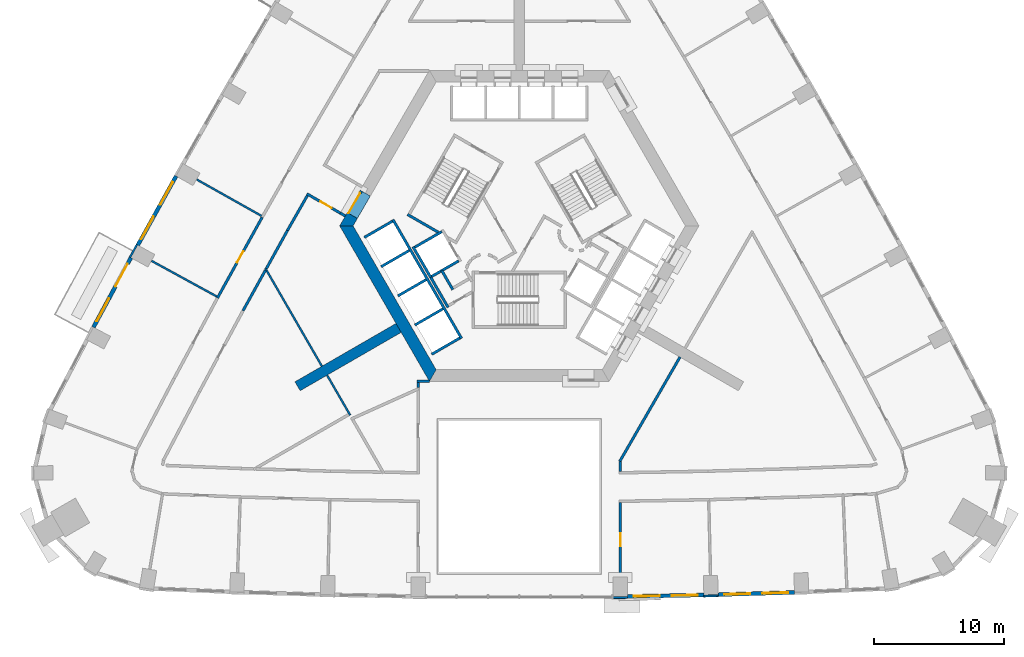
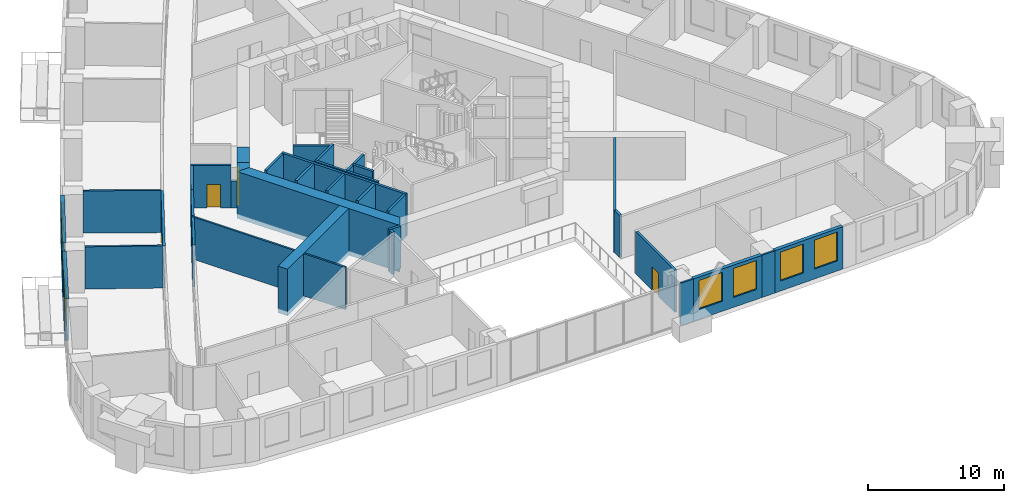
# One storey, part 5 of 16: 39 walls, 7 windows, 5 doors, 12 openings.
"""IFC4 building model written with IfcOpenShell, lengths in metres."""

from ifc_helpers import new_model, si_unit, direction, frame, frame_2d, origin, place, context, subcontext, project, spatial, polyline, rectangle, outline, extrude, material, layer, layer_set, type_object, element, fill, save


model = new_model("IFC4")

# Units and contexts
model_context = context("Model", 3, precision=1e-05, world=origin(), true_north=direction((0.0, 1.0)))
body_context = subcontext(model_context, "Body", "Model", "MODEL_VIEW")
ifc_project = project(units=[si_unit("LENGTHUNIT", "METRE"), si_unit("AREAUNIT", "SQUARE_METRE"), si_unit("VOLUMEUNIT", "CUBIC_METRE"), si_unit("PLANEANGLEUNIT", "RADIAN"), si_unit("MASSUNIT", "GRAM", prefix="KILO")], contexts=[model_context])

# Site, building, storey
site_placement = place(None, origin())
site = spatial("IfcSite", under=ifc_project, at=site_placement, CompositionType="ELEMENT")
building_placement = place(site_placement, origin())
building = spatial("IfcBuilding", under=site, at=building_placement, Name="Entoto Arch Interchange Tower", CompositionType="ELEMENT")
storey_placement = place(building_placement, frame((0.0, 0.0, 95.0)))
storey = spatial("IfcBuildingStorey", under=building, at=storey_placement, Name="L20", CompositionType="ELEMENT", Elevation=95.0)

# Wall
ifc_material_1 = material(Name="Concrete C60/75", Category="concrete")
ifc_layer_1 = layer(ifc_material_1, 0.800048828125)
ifc_layer_set_1 = layer_set([ifc_layer_1], Name="Concrete C60/75")
wall_type_1 = type_object("IfcWallType", Name="Buttress wall 800 C60/75", PredefinedType="SHEAR", material=ifc_layer_set_1)
wall_1_placement = place(storey_placement, frame((-9.31005859375, -5.375, -0.39990234375), z_axis=(0.0, 0.0, 1.0), x_axis=(-0.866017533419, -0.500013631625, 0.0)))
element("IfcWall", 1, at=wall_1_placement, inside=storey, type_object=wall_type_1, Name="Buttress wall SW L20", PredefinedType="SHEAR", context=body_context, shape_type="SweptSolid", body=[
    extrude(rectangle(XDim=8.999755859375, YDim=0.800048828125, at=frame_2d((4.5, 0.0))), origin(), (0.0, 0.0, 1.0), 4.199951171875),
])

# Wall, opening, door
ifc_material_2 = material(Name="Reinforced concrete C40/50", Category="concrete")
ifc_layer_2 = layer(ifc_material_2, 0.199951171875)
ifc_layer_set_2 = layer_set([ifc_layer_2], Name="Reinforced concrete C40/50")
wall_type_2 = type_object("IfcWallType", Name="CORE GAP INFILL WALL", PredefinedType="PARTITIONING", material=ifc_layer_set_2)
wall_2_placement = place(storey_placement, frame((-12.179931640625, 5.201904296875, 0.0), z_axis=(0.0, 0.0, 1.0), x_axis=(-0.50002537861, -0.866010750942, 0.0)))
wall_2 = element("IfcWall", 2, at=wall_2_placement, inside=storey, type_object=wall_type_2, Name="wall:L20:gap3", PredefinedType="PARTITIONING", context=body_context, shape_type="SweptSolid", body=[
    extrude(rectangle(XDim=2.0, YDim=0.199951171875, at=frame_2d((1.0, 0.0))), origin(), (0.0, 0.0, 1.0), 2.39990234375),
])
opening_1_placement = place(wall_2_placement, frame((0.18994140625, 0.0, 0.0)))
opening_1 = element("IfcOpeningElement", 3, at=opening_1_placement, cuts=wall_2, Name="Opening L20-D93", PredefinedType="OPENING", context=body_context, shape_type="SweptSolid", body=[
    extrude(rectangle(XDim=1.800048828125, YDim=2.10009765625, at=frame_2d((0.89990234375, 1.050048828125))), frame((0.0, 0.10986328125, 0.0), z_axis=(0.0, -1.0, 0.0), x_axis=(1.0, 0.0, 0.0)), (0.0, 0.0, 1.0), 0.219970703125),
])
ifc_material_3 = material(Name="Fire-rated Steel S235 door and frame", Category="steel")
door_type_1 = type_object("IfcDoorType", Name="DOOR FD-18 1800x2100", OperationType="DOUBLE_DOOR_SINGLE_SWING", PredefinedType="DOOR", material=ifc_material_3)
door_1_placement = place(opening_1_placement, origin())
door_1 = element("IfcDoor", 4, at=door_1_placement, inside=storey, type_object=door_type_1, Name="door:L20:gap3", OperationType="DOUBLE_DOOR_SINGLE_SWING", OverallHeight=2.10009765625, OverallWidth=1.800048828125, PredefinedType="DOOR", context=body_context, shape_type="SweptSolid", body=[
    extrude(rectangle(XDim=1.800048828125, YDim=2.10009765625, at=frame_2d((0.89990234375, 1.050048828125))), frame((0.0, 0.02490234375, 0.0), z_axis=(0.0, -1.0, 0.0), x_axis=(1.0, 0.0, 0.0)), (0.0, 0.0, 1.0), 0.050048828125),
])
fill(opening_1, door_1)

# Walls
ifc_layer_3 = layer(ifc_material_1, 0.89990234375)
ifc_layer_set_3 = layer_set([ifc_layer_3], Name="Concrete C60/75")
wall_type_3 = type_object("IfcWallType", Name="Core wall 900 C60/75", PredefinedType="SHEAR", material=ifc_layer_set_3)
wall_3_placement = place(storey_placement, frame((0.0, 0.0, -0.39990234375)))
element("IfcWall", 5, at=wall_3_placement, inside=storey, type_object=wall_type_3, Name="Core wall NW L20", PredefinedType="SHEAR", context=body_context, shape_type="SweptSolid", body=[
    extrude(outline(polyline([(-12.488037109375, 3.070068359375), (-13.26708984375, 3.52001953125), (-13.85595703125, 2.5), (-12.81689453125, 2.5), (-12.488037109375, 3.070068359375)])), origin(), (0.0, 0.0, 1.0), 4.199951171875),
])
wall_4_placement = place(storey_placement, frame((0.0, 0.0, 3.60009765625)))
element("IfcWall", 6, at=wall_4_placement, inside=storey, type_object=wall_type_3, Name="Core wall lintel NW L20", PredefinedType="SHEAR", context=body_context, shape_type="SweptSolid", body=[
    extrude(outline(polyline([(-13.26708984375, 3.52001953125), (-12.488037109375, 3.070068359375), (-11.488037109375, 4.802001953125), (-12.26708984375, 5.251953125), (-13.26708984375, 3.52001953125)])), origin(), (0.0, 0.0, 1.0), 0.199951171875),
])
wall_5_placement = place(storey_placement, frame((0.0, 0.0, -0.39990234375)))
element("IfcWall", 7, at=wall_5_placement, inside=storey, type_object=wall_type_3, Name="Core wall SW L20", PredefinedType="SHEAR", context=body_context, shape_type="SweptSolid", body=[
    extrude(outline(polyline([(-13.85595703125, 2.5), (-6.927978515625, -9.5), (-6.408935546875, -8.60009765625), (-12.81689453125, 2.5), (-13.85595703125, 2.5)])), origin(), (0.0, 0.0, 1.0), 4.199951171875),
])
ifc_material_4 = material(Name="Concrete C40/50", Category="concrete")
ifc_layer_4 = layer(ifc_material_4, 0.199951171875)
ifc_layer_set_4 = layer_set([ifc_layer_4], Name="Concrete C40/50")
wall_type_4 = type_object("IfcWallType", Name="LIFT SHAFT WALL 200", PredefinedType="STANDARD", material=ifc_layer_set_4)
wall_6_placement = place(storey_placement, frame((-8.19189453125, 0.887939453125, 0.0), z_axis=(0.0, 0.0, 1.0), x_axis=(0.49994636267, -0.866056369097, 0.0)))
element("IfcWall", 8, at=wall_6_placement, inside=storey, type_object=wall_type_4, Name="Shaft wall SW1 back", PredefinedType="STANDARD", context=body_context, shape_type="SweptSolid", body=[
    extrude(rectangle(XDim=2.800048828125, YDim=0.199951171875, at=frame_2d((1.39990234375, 0.0))), origin(), (0.0, 0.0, 1.0), 3.800048828125),
])
for number, where, z_axis, x_axis, name in (
    (9, (-5.97705078125, 2.052001953125, 0.0), (0.0, 0.0, 1.0), (-0.865973769406, -0.500089422704, 0.0), "Shaft wall SW1 cross 1"),
    (10, (-4.677001953125, -0.199951171875, 0.0), (0.0, 0.0, 1.0), (-0.865973769406, -0.500089422704, 0.0), "Shaft wall SW1 cross 2"),
):
    element("IfcWall", number, at=place(storey_placement, frame(where, z_axis=z_axis, x_axis=x_axis)), inside=storey, type_object=wall_type_4, Name=name, PredefinedType="STANDARD", context=body_context, shape_type="SweptSolid", body=[
        extrude(rectangle(XDim=2.3994140625, YDim=0.199951171875, at=frame_2d((1.19970703125, 0.0))), origin(), (0.0, 0.0, 1.0), 3.800048828125),
    ])
wall_7_placement = place(storey_placement, frame((-9.7509765625, 2.989990234375, 0.0), z_axis=(0.0, 0.0, 1.0), x_axis=(0.50000090737, -0.866024879913, 0.0)))
element("IfcWall", 11, at=wall_7_placement, inside=storey, type_object=wall_type_4, Name="Shaft wall SW3 front", PredefinedType="STANDARD", context=body_context, shape_type="SweptSolid", body=[
    extrude(rectangle(XDim=10.60009765625, YDim=0.199951171875, at=frame_2d((5.300048828125, 0.0))), origin(), (0.0, 0.0, 1.0), 3.800048828125),
])
wall_8_placement = place(storey_placement, frame((-9.7880859375, 2.85302734375, 0.0), z_axis=(0.0, 0.0, 1.0), x_axis=(-0.865998541277, -0.500046524342, 0.0)))
element("IfcWall", 12, at=wall_8_placement, inside=storey, type_object=wall_type_4, Name="Shaft wall SW3 cross 1", PredefinedType="STANDARD", context=body_context, shape_type="SweptSolid", body=[
    extrude(rectangle(XDim=2.499755859375, YDim=0.199951171875, at=frame_2d((1.25, 0.0))), origin(), (0.0, 0.0, 1.0), 3.800048828125),
])
for number, where, z_axis, x_axis, name in (
    (13, (-8.488037109375, 0.60205078125, 0.0), (0.0, 0.0, 1.0), (-0.866022959057, -0.500004234368, 0.0), "Shaft wall SW3 cross 2"),
    (14, (-7.18798828125, -1.64990234375, 0.0), (0.0, 0.0, 1.0), (-0.866022959057, -0.500004234368, 0.0), "Shaft wall SW3 cross 3"),
    (15, (-5.887939453125, -3.902099609375, 0.0), (0.0, 0.0, 1.0), (-0.866022959057, -0.500004234368, 0.0), "Shaft wall SW3 cross 4"),
    (16, (-4.587890625, -6.153076171875, 0.0), (0.0, 0.0, 1.0), (-0.866022959057, -0.500004234368, 0.0), "Shaft wall SW3 cross 5"),
):
    element("IfcWall", number, at=place(storey_placement, frame(where, z_axis=z_axis, x_axis=x_axis)), inside=storey, type_object=wall_type_4, Name=name, PredefinedType="STANDARD", context=body_context, shape_type="SweptSolid", body=[
        extrude(rectangle(XDim=2.5, YDim=0.199951171875, at=frame_2d((1.25, 0.0))), origin(), (0.0, 0.0, 1.0), 3.800048828125),
    ])
ifc_material_5 = material(Name="Gypsum board partition on steel studs", Category="steel")
ifc_layer_5 = layer(ifc_material_5, 0.14990234375)
ifc_layer_set_5 = layer_set([ifc_layer_5], Name="Gypsum board partition on steel studs")
wall_type_5 = type_object("IfcWallType", Name="PARTITION 150", PredefinedType="PARTITIONING", material=ifc_layer_set_5)
wall_9_placement = place(storey_placement, frame((-13.04296875, -12.10791015625, 0.0), z_axis=(0.0, 0.0, 1.0), x_axis=(-0.499947764329, 0.866055559963, 0.0)))
element("IfcWall", 17, at=wall_9_placement, inside=storey, type_object=wall_type_5, Name="wall:L20:p108", PredefinedType="PARTITIONING", context=body_context, shape_type="SweptSolid", body=[
    extrude(rectangle(XDim=3.564453125, YDim=0.14990234375, at=frame_2d((1.7822265625, 0.0))), origin(), (0.0, 0.0, 1.0), 3.800048828125),
])
wall_10_placement = place(storey_placement, frame((-19.887939453125, 3.27001953125, 0.0), z_axis=(0.0, 0.0, 1.0), x_axis=(-0.871789386467, 0.489880868828, 0.0)))
element("IfcWall", 18, at=wall_10_placement, inside=storey, type_object=wall_type_5, Name="wall:L20:p126", PredefinedType="PARTITIONING", context=body_context, shape_type="SweptSolid", body=[
    extrude(rectangle(XDim=5.729736328125, YDim=0.14990234375, at=frame_2d((2.86474609375, 0.0))), origin(), (0.0, 0.0, 1.0), 3.800048828125),
])
wall_11_placement = place(storey_placement, frame((-23.3359375, -2.949951171875, 0.0), z_axis=(0.0, 0.0, 1.0), x_axis=(-0.877455496162, 0.479658057637, 0.0)))
element("IfcWall", 19, at=wall_11_placement, inside=storey, type_object=wall_type_5, Name="wall:L20:p127", PredefinedType="PARTITIONING", context=body_context, shape_type="SweptSolid", body=[
    extrude(rectangle(XDim=5.729248046875, YDim=0.14990234375, at=frame_2d((2.86474609375, 0.0))), origin(), (0.0, 0.0, 1.0), 3.800048828125),
])
wall_12_placement = place(storey_placement, frame((-15.22509765625, -8.327880859375, 0.0), z_axis=(0.0, 0.0, 1.0), x_axis=(-0.500038648455, 0.866003088939, 0.0)))
element("IfcWall", 20, at=wall_12_placement, inside=storey, type_object=wall_type_5, Name="wall:L20:p108", PredefinedType="PARTITIONING", context=body_context, shape_type="SweptSolid", body=[
    extrude(rectangle(XDim=8.733154296875, YDim=0.14990234375, at=frame_2d((4.36669921875, 0.0))), origin(), (0.0, 0.0, 1.0), 3.800048828125),
])
ifc_layer_6 = layer(ifc_material_5, 0.199951171875)
ifc_layer_set_6 = layer_set([ifc_layer_6], Name="Gypsum board partition on steel studs")
wall_type_6 = type_object("IfcWallType", Name="PARTITION 200", PredefinedType="PARTITIONING", material=ifc_layer_set_6)
wall_13_placement = place(storey_placement, frame((-17.883056640625, 2.14306640625, 0.0), z_axis=(0.0, 0.0, 1.0), x_axis=(-0.484695523805, -0.874682942101, 0.0)))
element("IfcWall", 21, at=wall_13_placement, inside=storey, type_object=wall_type_6, Name="wall:L20:p019", PredefinedType="PARTITIONING", context=body_context, shape_type="SweptSolid", body=[
    extrude(rectangle(XDim=3.3486328125, YDim=0.199951171875, at=frame_2d((1.67431640625, 0.0))), origin(), (0.0, 0.0, 1.0), 3.800048828125),
])
wall_14_placement = place(storey_placement, frame((-13.4169921875, 3.260009765625, 0.0), z_axis=(0.0, 0.0, 1.0), x_axis=(-0.866032067792, 0.499988457423, 0.0)))
element("IfcWall", 22, at=wall_14_placement, inside=storey, type_object=wall_type_6, Name="wall:L20:p020", PredefinedType="PARTITIONING", context=body_context, shape_type="SweptSolid", body=[
    extrude(rectangle(XDim=0.4501953125, YDim=0.199951171875, at=frame_2d((0.22509765625, 0.0))), origin(), (0.0, 0.0, 1.0), 2.39990234375),
])
wall_15_placement = place(storey_placement, frame((-16.347900390625, 4.8369140625, 0.0), z_axis=(0.0, 0.0, 1.0), x_axis=(-0.495121026513, -0.868824015037, 0.0)))
element("IfcWall", 23, at=wall_15_placement, inside=storey, type_object=wall_type_6, Name="wall:L20:p021", PredefinedType="PARTITIONING", context=body_context, shape_type="SweptSolid", body=[
    extrude(rectangle(XDim=3.1005859375, YDim=0.199951171875, at=frame_2d((1.55029296875, 0.0))), origin(), (0.0, 0.0, 1.0), 3.800048828125),
])
wall_16_placement = place(storey_placement, frame((-19.5791015625, -0.9169921875, 0.0), z_axis=(0.0, 0.0, 1.0), x_axis=(-0.484700239797, -0.874680328772, 0.0)))
element("IfcWall", 24, at=wall_16_placement, inside=storey, type_object=wall_type_6, Name="wall:L20:p023", PredefinedType="PARTITIONING", context=body_context, shape_type="SweptSolid", body=[
    extrude(rectangle(XDim=3.585205078125, YDim=0.199951171875, at=frame_2d((1.79248046875, 0.0))), origin(), (0.0, 0.0, 1.0), 3.800048828125),
])

# Wall, opening, door
wall_17_placement = place(storey_placement, frame((-23.283935546875, -3.06396484375, 0.0), z_axis=(0.0, 0.0, 1.0), x_axis=(0.48478560119, 0.874633020689, 0.0)))
wall_17 = element("IfcWall", 25, at=wall_17_placement, inside=storey, type_object=wall_type_6, Name="wall:L20:p056", PredefinedType="PARTITIONING", context=body_context, shape_type="SweptSolid", body=[
    extrude(rectangle(XDim=7.1103515625, YDim=0.199951171875, at=frame_2d((3.55517578125, 0.0))), origin(), (0.0, 0.0, 1.0), 3.800048828125),
])
opening_2_placement = place(wall_17_placement, frame((3.1298828125, 0.0, 0.0)))
opening_2 = element("IfcOpeningElement", 26, at=opening_2_placement, cuts=wall_17, Name="Opening L20-D17", PredefinedType="OPENING", context=body_context, shape_type="SweptSolid", body=[
    extrude(rectangle(XDim=1.0, YDim=2.10009765625, at=frame_2d((0.5, 1.050048828125))), frame((0.0, 0.10986328125, 0.0), z_axis=(0.0, -1.0, 0.0), x_axis=(1.0, 0.0, 0.0)), (0.0, 0.0, 1.0), 0.219970703125),
])
ifc_material_6 = material(Name="Timber door leaf in Steel S235 frame", Category="steel")
door_type_2 = type_object("IfcDoorType", Name="DOOR DS-10 1000x2100", OperationType="SINGLE_SWING_LEFT", PredefinedType="DOOR", material=ifc_material_6)
door_2_placement = place(opening_2_placement, origin())
door_2 = element("IfcDoor", 27, at=door_2_placement, inside=storey, type_object=door_type_2, Name="door:L20:17", OperationType="SINGLE_SWING_LEFT", OverallHeight=2.10009765625, OverallWidth=1.0, PredefinedType="DOOR", context=body_context, shape_type="SweptSolid", body=[
    extrude(rectangle(XDim=1.0, YDim=2.10009765625, at=frame_2d((0.5, 1.050048828125))), frame((0.0, 0.02490234375, 0.0), z_axis=(0.0, -1.0, 0.0), x_axis=(1.0, 0.0, 0.0)), (0.0, 0.0, 1.0), 0.050048828125),
])
fill(opening_2, door_2)

# Walls
wall_18_placement = place(storey_placement, frame((-5.1259765625, -2.422119140625, 0.0), z_axis=(0.0, 0.0, 1.0), x_axis=(-0.500062241894, 0.865989465428, 0.0)))
element("IfcWall", 28, at=wall_18_placement, inside=storey, type_object=wall_type_6, Name="wall:L20:p073", PredefinedType="PARTITIONING", context=body_context, shape_type="SweptSolid", body=[
    extrude(rectangle(XDim=1.699951171875, YDim=0.199951171875, at=frame_2d((0.85009765625, 0.0))), origin(), (0.0, 0.0, 1.0), 3.800048828125),
])
wall_19_placement = place(storey_placement, frame((-5.491943359375, -3.7880859375, 0.0), z_axis=(0.0, 0.0, 1.0), x_axis=(-0.500008949224, 0.866020236886, 0.0)))
element("IfcWall", 29, at=wall_19_placement, inside=storey, type_object=wall_type_6, Name="wall:L20:p075", PredefinedType="PARTITIONING", context=body_context, shape_type="SweptSolid", body=[
    extrude(rectangle(XDim=2.68017578125, YDim=0.199951171875, at=frame_2d((1.340087890625, 0.0))), origin(), (0.0, 0.0, 1.0), 3.800048828125),
])
wall_20_placement = place(storey_placement, frame((7.800048828125, -15.68994140625, 0.0), z_axis=(0.0, 0.0, 1.0), x_axis=(0.0, -1.0, 0.0)))
element("IfcWall", 30, at=wall_20_placement, inside=storey, type_object=wall_type_6, Name="wall:L20:p093", PredefinedType="PARTITIONING", context=body_context, shape_type="SweptSolid", body=[
    extrude(rectangle(XDim=0.759033203125, YDim=0.199951171875, at=frame_2d((0.37939453125, 0.0))), origin(), (0.0, 0.0, 1.0), 3.800048828125),
])
wall_21_placement = place(storey_placement, frame((-7.800048828125, -9.97998046875, 0.0), z_axis=(0.0, 0.0, 1.0), x_axis=(0.0, 1.0, 0.0)))
element("IfcWall", 31, at=wall_21_placement, inside=storey, type_object=wall_type_6, Name="wall:L20:p094", PredefinedType="PARTITIONING", context=body_context, shape_type="SweptSolid", body=[
    extrude(rectangle(XDim=0.380859375, YDim=0.199951171875, at=frame_2d((0.1904296875, 0.0))), origin(), (0.0, 0.0, 1.0), 3.800048828125),
])
wall_22_placement = place(storey_placement, frame((-7.89990234375, -9.4990234375, 0.0), z_axis=(0.0, 0.0, 1.0), x_axis=(1.0, 0.0, 0.0)))
element("IfcWall", 32, at=wall_22_placement, inside=storey, type_object=wall_type_6, Name="wall:L20:p095", PredefinedType="PARTITIONING", context=body_context, shape_type="SweptSolid", body=[
    extrude(rectangle(XDim=0.970947265625, YDim=0.199951171875, at=frame_2d((0.4853515625, 0.0))), origin(), (0.0, 0.0, 1.0), 3.800048828125),
])

# Wall, opening, door
wall_23_placement = place(storey_placement, frame((7.800048828125, -18.85009765625, 0.0), z_axis=(0.0, 0.0, 1.0), x_axis=(0.0, -1.0, 0.0)))
wall_23 = element("IfcWall", 33, at=wall_23_placement, inside=storey, type_object=wall_type_6, Name="wall:L20:p097", PredefinedType="PARTITIONING", context=body_context, shape_type="SweptSolid", body=[
    extrude(rectangle(XDim=5.73095703125, YDim=0.199951171875, at=frame_2d((2.865478515625, 0.0))), origin(), (0.0, 0.0, 1.0), 3.800048828125),
])
opening_3_placement = place(wall_23_placement, frame((2.365966796875, 0.0, 0.0)))
opening_3 = element("IfcOpeningElement", 34, at=opening_3_placement, cuts=wall_23, Name="Opening L20-D01", PredefinedType="OPENING", context=body_context, shape_type="SweptSolid", body=[
    extrude(rectangle(XDim=1.0, YDim=2.10009765625, at=frame_2d((0.5, 1.050048828125))), frame((0.0, 0.10986328125, 0.0), z_axis=(0.0, -1.0, 0.0), x_axis=(1.0, 0.0, 0.0)), (0.0, 0.0, 1.0), 0.219970703125),
])
door_3_placement = place(opening_3_placement, origin())
door_3 = element("IfcDoor", 35, at=door_3_placement, inside=storey, type_object=door_type_2, Name="door:L20:01", OperationType="SINGLE_SWING_LEFT", OverallHeight=2.10009765625, OverallWidth=1.0, PredefinedType="DOOR", context=body_context, shape_type="SweptSolid", body=[
    extrude(rectangle(XDim=1.0, YDim=2.10009765625, at=frame_2d((0.5, 1.050048828125))), frame((0.0, 0.02490234375, 0.0), z_axis=(0.0, -1.0, 0.0), x_axis=(1.0, 0.0, 0.0)), (0.0, 0.0, 1.0), 0.050048828125),
])
fill(opening_3, door_3)

# Wall
wall_24_placement = place(storey_placement, frame((12.40087890625, -7.62109375, 0.0), z_axis=(0.0, 0.0, 1.0), x_axis=(-0.499983724212, -0.866034800411, 0.0)))
element("IfcWall", 36, at=wall_24_placement, inside=storey, type_object=wall_type_6, Name="wall:L20:p102", PredefinedType="PARTITIONING", context=body_context, shape_type="SweptSolid", body=[
    extrude(rectangle(XDim=9.302001953125, YDim=0.199951171875, at=frame_2d((4.65087890625, 0.0))), origin(), (0.0, 0.0, 1.0), 3.800048828125),
])

# Wall, opening, door
wall_25_placement = place(storey_placement, frame((-13.806884765625, 3.485107421875, 0.0), z_axis=(0.0, 0.0, 1.0), x_axis=(-0.865947944451, 0.500134139508, 0.0)))
wall_25 = element("IfcWall", 37, at=wall_25_placement, inside=storey, type_object=wall_type_6, Name="wall:L20:p020", PredefinedType="PARTITIONING", context=body_context, shape_type="SweptSolid", body=[
    extrude(rectangle(XDim=2.977294921875, YDim=0.199951171875, at=frame_2d((1.48876953125, 0.0))), origin(), (0.0, 0.0, 1.0), 3.800048828125),
])
opening_4_placement = place(wall_25_placement, frame((0.763916015625, 0.0, 0.0)))
opening_4 = element("IfcOpeningElement", 38, at=opening_4_placement, cuts=wall_25, Name="Opening L20-D28", PredefinedType="OPENING", context=body_context, shape_type="SweptSolid", body=[
    extrude(rectangle(XDim=1.0, YDim=2.10009765625, at=frame_2d((0.5, 1.050048828125))), frame((0.0, 0.10986328125, 0.0), z_axis=(0.0, -1.0, 0.0), x_axis=(1.0, 0.0, 0.0)), (0.0, 0.0, 1.0), 0.219970703125),
])
door_4_placement = place(opening_4_placement, origin())
door_4 = element("IfcDoor", 39, at=door_4_placement, inside=storey, type_object=door_type_2, Name="door:L20:28", OperationType="SINGLE_SWING_LEFT", OverallHeight=2.10009765625, OverallWidth=1.0, PredefinedType="DOOR", context=body_context, shape_type="SweptSolid", body=[
    extrude(rectangle(XDim=1.0, YDim=2.10009765625, at=frame_2d((0.5, 1.050048828125))), frame((0.0, 0.02490234375, 0.0), z_axis=(0.0, -1.0, 0.0), x_axis=(1.0, 0.0, 0.0)), (0.0, 0.0, 1.0), 0.050048828125),
])
fill(opening_4, door_4)

# Wall
ifc_layer_7 = layer(ifc_material_4, 0.199951171875)
ifc_layer_set_7 = layer_set([ifc_layer_7], Name="Concrete C40/50")
wall_type_7 = type_object("IfcWallType", Name="STAIR ENCLOSURE WALL 200", PredefinedType="STANDARD", material=ifc_layer_set_7)
wall_26_placement = place(storey_placement, frame((-6.25, 2.010009765625, 0.0), z_axis=(0.0, 0.0, 1.0), x_axis=(-0.86611865017, 0.499838457731, 0.0)))
element("IfcWall", 40, at=wall_26_placement, inside=storey, type_object=wall_type_7, Name="Stair wall ST-NW far", PredefinedType="STANDARD", context=body_context, shape_type="SweptSolid", body=[
    extrude(rectangle(XDim=2.73291015625, YDim=0.199951171875, at=frame_2d((1.366455078125, 0.0))), origin(), (0.0, 0.0, 1.0), 3.800048828125),
])

# Wall, openings, windows
ifc_material_7 = material(Name="Welded tuff (ignimbrite) cladding, warm buff", Category="masonry")
ifc_layer_8 = layer(ifc_material_7, 0.300048828125)
ifc_layer_set_8 = layer_set([ifc_layer_8], Name="Welded tuff (ignimbrite) cladding, warm buff")
wall_type_8 = type_object("IfcWallType", Name="STONE INFILL WALL 300", PredefinedType="STANDARD", material=ifc_layer_set_8)
wall_27_placement = place(storey_placement, frame((8.347900390625, -26.091064453125, 0.0), z_axis=(0.0, 0.0, 1.0), x_axis=(0.999828633111, 0.018512277318, 0.0)))
wall_27 = element("IfcWall", 41, at=wall_27_placement, inside=storey, type_object=wall_type_8, Name="Facade wall S-05 L20", PredefinedType="STANDARD", context=body_context, shape_type="SweptSolid", body=[
    extrude(rectangle(XDim=5.89501953125, YDim=0.300048828125, at=frame_2d((2.947509765625, 0.0))), origin(), (0.0, 0.0, 1.0), 3.800048828125),
])
opening_5_placement = place(wall_27_placement, frame((0.47412109375, 0.0, 0.89990234375)))
opening_5 = element("IfcOpeningElement", 42, at=opening_5_placement, cuts=wall_27, Name="Opening WO-C", PredefinedType="OPENING", context=body_context, shape_type="SweptSolid", body=[
    extrude(rectangle(XDim=2.0, YDim=2.60009765625, at=frame_2d((1.0, 1.300048828125))), frame((0.0, 0.16015625, 0.0), z_axis=(0.0, -1.0, 0.0), x_axis=(1.0, 0.0, 0.0)), (0.0, 0.0, 1.0), 0.320068359375),
])
opening_6_placement = place(wall_27_placement, frame((3.4208984375, 0.0, 0.89990234375)))
opening_6 = element("IfcOpeningElement", 43, at=opening_6_placement, cuts=wall_27, Name="Opening WO-C", PredefinedType="OPENING", context=body_context, shape_type="SweptSolid", body=[
    extrude(rectangle(XDim=2.0, YDim=2.60009765625, at=frame_2d((1.0, 1.300048828125))), frame((0.0, 0.16015625, 0.0), z_axis=(0.0, -1.0, 0.0), x_axis=(1.0, 0.0, 0.0)), (0.0, 0.0, 1.0), 0.320068359375),
])
ifc_material_8 = material(Name="Clear glass, low-e double glazed", Category="glass")
window_type = type_object("IfcWindowType", Name="WINDOW WO-C 2000x2600", PartitioningType="DOUBLE_PANEL_VERTICAL", PredefinedType="WINDOW", material=ifc_material_8)
window_1_placement = place(opening_5_placement, origin())
window_1 = element("IfcWindow", 44, at=window_1_placement, inside=storey, type_object=window_type, Name="Window WO-C S-05 L20", OverallHeight=2.60009765625, OverallWidth=2.0, PartitioningType="SINGLE_PANEL", PredefinedType="WINDOW", context=body_context, shape_type="SweptSolid", body=[
    extrude(rectangle(XDim=2.0, YDim=2.60009765625, at=frame_2d((1.0, 1.300048828125))), frame((0.0, 0.030029296875, 0.0), z_axis=(0.0, -1.0, 0.0), x_axis=(1.0, 0.0, 0.0)), (0.0, 0.0, 1.0), 0.06005859375),
])
fill(opening_5, window_1)
window_2_placement = place(opening_6_placement, origin())
window_2 = element("IfcWindow", 45, at=window_2_placement, inside=storey, type_object=window_type, Name="Window WO-C S-05 L20", OverallHeight=2.60009765625, OverallWidth=2.0, PartitioningType="SINGLE_PANEL", PredefinedType="WINDOW", context=body_context, shape_type="SweptSolid", body=[
    extrude(rectangle(XDim=2.0, YDim=2.60009765625, at=frame_2d((1.0, 1.300048828125))), frame((0.0, 0.030029296875, 0.0), z_axis=(0.0, -1.0, 0.0), x_axis=(1.0, 0.0, 0.0)), (0.0, 0.0, 1.0), 0.06005859375),
])
fill(opening_6, window_2)

wall_28_placement = place(storey_placement, frame((15.340087890625, -25.9560546875, 0.0), z_axis=(0.0, 0.0, 1.0), x_axis=(0.999554487555, 0.029846715213, 0.0)))
wall_28 = element("IfcWall", 46, at=wall_28_placement, inside=storey, type_object=wall_type_8, Name="Facade wall S-06 L20", PredefinedType="STANDARD", context=body_context, shape_type="SweptSolid", body=[
    extrude(rectangle(XDim=5.897705078125, YDim=0.300048828125, at=frame_2d((2.94873046875, 0.0))), origin(), (0.0, 0.0, 1.0), 3.800048828125),
])
opening_7_placement = place(wall_28_placement, frame((0.47412109375, 0.0, 0.89990234375)))
opening_7 = element("IfcOpeningElement", 47, at=opening_7_placement, cuts=wall_28, Name="Opening WO-C", PredefinedType="OPENING", context=body_context, shape_type="SweptSolid", body=[
    extrude(rectangle(XDim=2.0, YDim=2.60009765625, at=frame_2d((1.0, 1.300048828125))), frame((0.0, 0.16015625, 0.0), z_axis=(0.0, -1.0, 0.0), x_axis=(1.0, 0.0, 0.0)), (0.0, 0.0, 1.0), 0.320068359375),
])
opening_8_placement = place(wall_28_placement, frame((3.423095703125, 0.0, 0.89990234375)))
opening_8 = element("IfcOpeningElement", 48, at=opening_8_placement, cuts=wall_28, Name="Opening WO-C", PredefinedType="OPENING", context=body_context, shape_type="SweptSolid", body=[
    extrude(rectangle(XDim=2.0, YDim=2.60009765625, at=frame_2d((1.0, 1.300048828125))), frame((0.0, 0.16015625, 0.0), z_axis=(0.0, -1.0, 0.0), x_axis=(1.0, 0.0, 0.0)), (0.0, 0.0, 1.0), 0.320068359375),
])
window_3_placement = place(opening_7_placement, origin())
window_3 = element("IfcWindow", 49, at=window_3_placement, inside=storey, type_object=window_type, Name="Window WO-C S-06 L20", OverallHeight=2.60009765625, OverallWidth=2.0, PartitioningType="SINGLE_PANEL", PredefinedType="WINDOW", context=body_context, shape_type="SweptSolid", body=[
    extrude(rectangle(XDim=2.0, YDim=2.60009765625, at=frame_2d((1.0, 1.300048828125))), frame((0.0, 0.030029296875, 0.0), z_axis=(0.0, -1.0, 0.0), x_axis=(1.0, 0.0, 0.0)), (0.0, 0.0, 1.0), 0.06005859375),
])
fill(opening_7, window_3)
window_4_placement = place(opening_8_placement, origin())
window_4 = element("IfcWindow", 50, at=window_4_placement, inside=storey, type_object=window_type, Name="Window WO-C S-06 L20", OverallHeight=2.60009765625, OverallWidth=2.0, PartitioningType="SINGLE_PANEL", PredefinedType="WINDOW", context=body_context, shape_type="SweptSolid", body=[
    extrude(rectangle(XDim=2.0, YDim=2.60009765625, at=frame_2d((1.0, 1.300048828125))), frame((0.0, 0.030029296875, 0.0), z_axis=(0.0, -1.0, 0.0), x_axis=(1.0, 0.0, 0.0)), (0.0, 0.0, 1.0), 0.06005859375),
])
fill(opening_8, window_4)

wall_29_placement = place(storey_placement, frame((-26.47412109375, 6.341064453125, 0.0), z_axis=(0.0, 0.0, 1.0), x_axis=(-0.484823579315, -0.874611969356, 0.0)))
wall_29 = element("IfcWall", 51, at=wall_29_placement, inside=storey, type_object=wall_type_8, Name="Facade wall NW-06 L20", PredefinedType="STANDARD", context=body_context, shape_type="SweptSolid", body=[
    extrude(rectangle(XDim=6.0986328125, YDim=0.300048828125, at=frame_2d((3.04931640625, 0.0))), origin(), (0.0, 0.0, 1.0), 3.800048828125),
])
opening_9_placement = place(wall_29_placement, frame((0.52490234375, 0.0, 0.89990234375)))
opening_9 = element("IfcOpeningElement", 52, at=opening_9_placement, cuts=wall_29, Name="Opening WO-C", PredefinedType="OPENING", context=body_context, shape_type="SweptSolid", body=[
    extrude(rectangle(XDim=2.0, YDim=2.60009765625, at=frame_2d((1.0, 1.300048828125))), frame((0.0, 0.16015625, 0.0), z_axis=(0.0, -1.0, 0.0), x_axis=(1.0, 0.0, 0.0)), (0.0, 0.0, 1.0), 0.320068359375),
])
opening_10_placement = place(wall_29_placement, frame((3.573974609375, 0.0, 0.89990234375)))
opening_10 = element("IfcOpeningElement", 53, at=opening_10_placement, cuts=wall_29, Name="Opening WO-C", PredefinedType="OPENING", context=body_context, shape_type="SweptSolid", body=[
    extrude(rectangle(XDim=2.0, YDim=2.60009765625, at=frame_2d((1.0, 1.300048828125))), frame((0.0, 0.16015625, 0.0), z_axis=(0.0, -1.0, 0.0), x_axis=(1.0, 0.0, 0.0)), (0.0, 0.0, 1.0), 0.320068359375),
])
window_5_placement = place(opening_9_placement, origin())
window_5 = element("IfcWindow", 54, at=window_5_placement, inside=storey, type_object=window_type, Name="Window WO-C NW-06 L20", OverallHeight=2.60009765625, OverallWidth=2.0, PartitioningType="SINGLE_PANEL", PredefinedType="WINDOW", context=body_context, shape_type="SweptSolid", body=[
    extrude(rectangle(XDim=2.0, YDim=2.60009765625, at=frame_2d((1.0, 1.300048828125))), frame((0.0, 0.030029296875, 0.0), z_axis=(0.0, -1.0, 0.0), x_axis=(1.0, 0.0, 0.0)), (0.0, 0.0, 1.0), 0.06005859375),
])
fill(opening_9, window_5)
window_6_placement = place(opening_10_placement, origin())
window_6 = element("IfcWindow", 55, at=window_6_placement, inside=storey, type_object=window_type, Name="Window WO-C NW-06 L20", OverallHeight=2.60009765625, OverallWidth=2.0, PartitioningType="SINGLE_PANEL", PredefinedType="WINDOW", context=body_context, shape_type="SweptSolid", body=[
    extrude(rectangle(XDim=2.0, YDim=2.60009765625, at=frame_2d((1.0, 1.300048828125))), frame((0.0, 0.030029296875, 0.0), z_axis=(0.0, -1.0, 0.0), x_axis=(1.0, 0.0, 0.0)), (0.0, 0.0, 1.0), 0.06005859375),
])
fill(opening_10, window_6)

# Wall, openings, door, window
wall_30_placement = place(storey_placement, frame((-29.9580078125, 0.0439453125, 0.0), z_axis=(0.0, 0.0, 1.0), x_axis=(-0.474369552216, -0.880325807829, 0.0)))
wall_30 = element("IfcWall", 56, at=wall_30_placement, inside=storey, type_object=wall_type_8, Name="Facade wall NW-07 L20", PredefinedType="STANDARD", context=body_context, shape_type="SweptSolid", body=[
    extrude(rectangle(XDim=6.098876953125, YDim=0.300048828125, at=frame_2d((3.04931640625, 0.0))), origin(), (0.0, 0.0, 1.0), 3.800048828125),
])
opening_11_placement = place(wall_30_placement, frame((0.52490234375, 0.0, 0.0)))
opening_11 = element("IfcOpeningElement", 57, at=opening_11_placement, cuts=wall_30, Name="Opening DB-NW-07-L20", PredefinedType="OPENING", context=body_context, shape_type="SweptSolid", body=[
    extrude(rectangle(XDim=2.0, YDim=2.39990234375, at=frame_2d((1.0, 1.199951171875))), frame((0.0, 0.16015625, 0.0), z_axis=(0.0, -1.0, 0.0), x_axis=(1.0, 0.0, 0.0)), (0.0, 0.0, 1.0), 0.320068359375),
])
opening_12_placement = place(wall_30_placement, frame((3.573974609375, 0.0, 0.89990234375)))
opening_12 = element("IfcOpeningElement", 58, at=opening_12_placement, cuts=wall_30, Name="Opening WO-C", PredefinedType="OPENING", context=body_context, shape_type="SweptSolid", body=[
    extrude(rectangle(XDim=2.0, YDim=2.60009765625, at=frame_2d((1.0, 1.300048828125))), frame((0.0, 0.16015625, 0.0), z_axis=(0.0, -1.0, 0.0), x_axis=(1.0, 0.0, 0.0)), (0.0, 0.0, 1.0), 0.320068359375),
])
ifc_material_9 = material(Name="Aluminium and clear glass, anodised", Category="aluminium")
door_type_3 = type_object("IfcDoorType", Name="BALCONY DOOR DB 2000x2400", OperationType="SLIDING_TO_LEFT", PredefinedType="DOOR", material=ifc_material_9)
door_5_placement = place(opening_11_placement, origin())
door_5 = element("IfcDoor", 59, at=door_5_placement, inside=storey, type_object=door_type_3, Name="Balcony door NW-07 L20", OperationType="SLIDING_TO_LEFT", OverallHeight=2.39990234375, OverallWidth=2.0, PredefinedType="DOOR", context=body_context, shape_type="SweptSolid", body=[
    extrude(rectangle(XDim=2.0, YDim=2.39990234375, at=frame_2d((1.0, 1.199951171875))), frame((0.0, 0.02490234375, 0.0), z_axis=(0.0, -1.0, 0.0), x_axis=(1.0, 0.0, 0.0)), (0.0, 0.0, 1.0), 0.050048828125),
])
fill(opening_11, door_5)
window_7_placement = place(opening_12_placement, origin())
window_7 = element("IfcWindow", 60, at=window_7_placement, inside=storey, type_object=window_type, Name="Window WO-C NW-07 L20", OverallHeight=2.60009765625, OverallWidth=2.0, PartitioningType="SINGLE_PANEL", PredefinedType="WINDOW", context=body_context, shape_type="SweptSolid", body=[
    extrude(rectangle(XDim=2.0, YDim=2.60009765625, at=frame_2d((1.0, 1.300048828125))), frame((0.0, 0.030029296875, 0.0), z_axis=(0.0, -1.0, 0.0), x_axis=(1.0, 0.0, 0.0)), (0.0, 0.0, 1.0), 0.06005859375),
])
fill(opening_12, window_7)

# Walls
ifc_layer_9 = layer(ifc_material_7, 0.14990234375)
ifc_layer_set_9 = layer_set([ifc_layer_9], Name="Welded tuff (ignimbrite) cladding, warm buff")
wall_type_9 = type_object("IfcWallType", Name="STONE PIER CLADDING 150", PredefinedType="STANDARD", material=ifc_layer_set_9)
wall_31_placement = place(storey_placement, frame((-29.4990234375, 1.0458984375, 0.0), z_axis=(0.0, 0.0, 1.0), x_axis=(-0.479737645119, -0.877411985247, 0.0)))
element("IfcWall", 61, at=wall_31_placement, inside=storey, type_object=wall_type_9, Name="Stone pier NW07 L20", PredefinedType="STANDARD", context=body_context, shape_type="SweptSolid", body=[
    extrude(rectangle(XDim=1.100830078125, YDim=0.14990234375, at=frame_2d((0.55029296875, 0.0))), origin(), (0.0, 0.0, 1.0), 3.800048828125),
])
wall_32_placement = place(storey_placement, frame((7.2490234375, -26.180908203125, 0.0), z_axis=(0.0, 0.0, 1.0), x_axis=(0.99995860686, 0.009098602504, 0.0)))
element("IfcWall", 62, at=wall_32_placement, inside=storey, type_object=wall_type_9, Name="Stone pier S05 L20", PredefinedType="STANDARD", context=body_context, shape_type="SweptSolid", body=[
    extrude(rectangle(XDim=1.10009765625, YDim=0.14990234375, at=frame_2d((0.550048828125, 0.0))), origin(), (0.0, 0.0, 1.0), 3.800048828125),
])
wall_33_placement = place(storey_placement, frame((14.242919921875, -26.06005859375, 0.0), z_axis=(0.0, 0.0, 1.0), x_axis=(0.999718180159, 0.023739424163, 0.0)))
element("IfcWall", 63, at=wall_33_placement, inside=storey, type_object=wall_type_9, Name="Stone pier S06 L20", PredefinedType="STANDARD", context=body_context, shape_type="SweptSolid", body=[
    extrude(rectangle(XDim=1.100341796875, YDim=0.14990234375, at=frame_2d((0.55029296875, 0.0))), origin(), (0.0, 0.0, 1.0), 3.800048828125),
])

save(model, "model.ifc")
